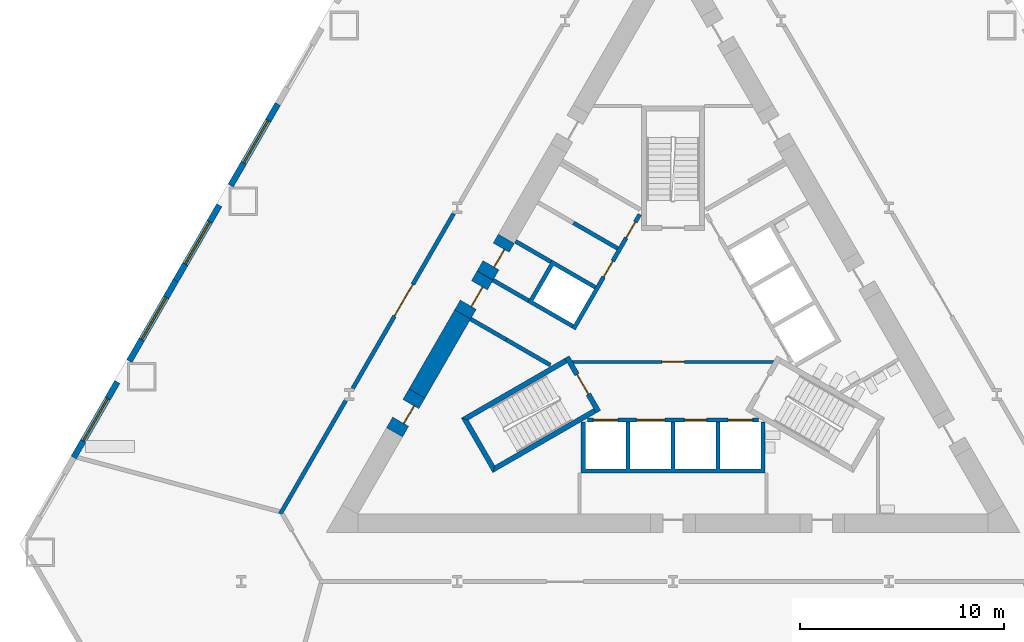
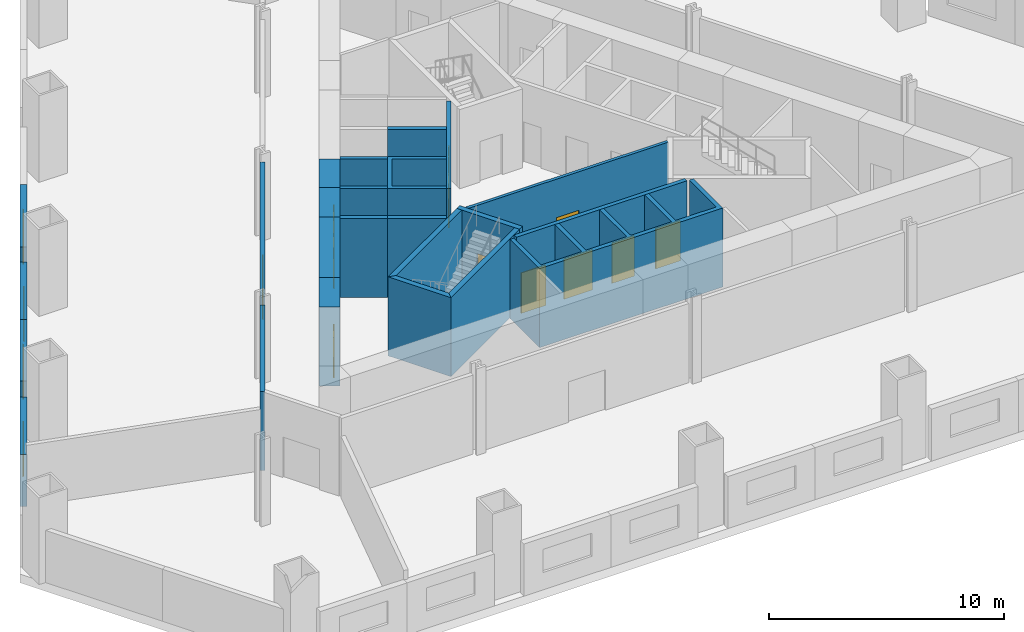
# One storey, part 2 of 8: 24 walls, 12 doors, 4 windows, 16 openings.
"""IFC4 building model written with IfcOpenShell, lengths in metres."""

from ifc_helpers import new_model, si_unit, direction, frame, frame_2d, origin, place, context, subcontext, project, spatial, polyline, rectangle, outline, extrude, material, layer, layer_set, type_object, element, fill, save


model = new_model("IFC4")

# Units and contexts
model_context = context("Model", 3, precision=1e-05, world=origin(), true_north=direction((0.0, 1.0)))
body_context = subcontext(model_context, "Body", "Model", "MODEL_VIEW")
ifc_project = project(units=[si_unit("LENGTHUNIT", "METRE"), si_unit("AREAUNIT", "SQUARE_METRE"), si_unit("VOLUMEUNIT", "CUBIC_METRE"), si_unit("PLANEANGLEUNIT", "RADIAN"), si_unit("MASSUNIT", "GRAM", prefix="KILO")], contexts=[model_context])

# Site, building, storey
site_placement = place(None, origin())
site = spatial("IfcSite", under=ifc_project, at=site_placement, CompositionType="ELEMENT")
building_placement = place(site_placement, origin())
building = spatial("IfcBuilding", under=site, at=building_placement, Name="Cormorant Prow Tower", CompositionType="ELEMENT")
storey_placement = place(building_placement, frame((0.0, 0.0, 25.5)))
storey = spatial("IfcBuildingStorey", under=building, at=storey_placement, Name="L04", CompositionType="ELEMENT", Elevation=25.5)

# Wall, opening, door
ifc_material_1 = material(Name="Gypsum board partition")
ifc_layer_1 = layer(ifc_material_1, 0.14990234375)
ifc_layer_set_1 = layer_set([ifc_layer_1], Name="Gypsum board partition")
wall_type_1 = type_object("IfcWallType", Name="Core partition 150", PredefinedType="PARTITIONING", material=ifc_layer_set_1)
wall_1_placement = place(storey_placement, frame((-4.941162109375, -1.449951171875, 0.0), z_axis=(0.0, 0.0, 1.0), x_axis=(1.0, 0.0, 0.0)))
wall_1 = element("IfcWall", 1, at=wall_1_placement, inside=storey, type_object=wall_type_1, Name="Firefighting lobby partition", PredefinedType="PARTITIONING", context=body_context, shape_type="SweptSolid", body=[
    extrude(rectangle(XDim=9.88232421875, YDim=0.14990234375, at=frame_2d((4.941162109375, 0.0))), origin(), (0.0, 0.0, 1.0), 4.10009765625),
])
opening_1_placement = place(wall_1_placement, frame((4.39111328125, 0.0, 0.0)))
opening_1 = element("IfcOpeningElement", 2, at=opening_1_placement, cuts=wall_1, Name="Opening L04-C11", PredefinedType="OPENING", context=body_context, shape_type="SweptSolid", body=[
    extrude(rectangle(XDim=1.10009765625, YDim=2.10009765625, at=frame_2d((0.550048828125, 1.050048828125))), frame((0.0, 0.0849609375, 0.0), z_axis=(0.0, -1.0, 0.0), x_axis=(1.0, 0.0, 0.0)), (0.0, 0.0, 1.0), 0.169921875),
])
ifc_material_2 = material(Name="Painted steel", Category="steel")
door_type_1 = type_object("IfcDoorType", Name="Firefighting lobby door 1100x2100", OperationType="NOTDEFINED", PredefinedType="DOOR", material=ifc_material_2)
door_1_placement = place(opening_1_placement, origin())
door_1 = element("IfcDoor", 3, at=door_1_placement, inside=storey, type_object=door_type_1, Name="Firefighting lobby door", OperationType="SINGLE_SWING_RIGHT", OverallHeight=2.10009765625, OverallWidth=1.10009765625, PredefinedType="DOOR", context=body_context, shape_type="SweptSolid", body=[
    extrude(rectangle(XDim=1.10009765625, YDim=2.10009765625, at=frame_2d((0.550048828125, 1.050048828125))), frame((0.0, 0.02490234375, 0.0), z_axis=(0.0, -1.0, 0.0), x_axis=(1.0, 0.0, 0.0)), (0.0, 0.0, 1.0), 0.050048828125),
])
fill(opening_1, door_1)

# Wall
ifc_material_3 = material(Name="Concrete 8000 psi", Category="concrete")
ifc_layer_2 = layer(ifc_material_3, 0.89990234375)
ifc_layer_set_2 = layer_set([ifc_layer_2], Name="Concrete 8000 psi")
wall_type_2 = type_object("IfcWallType", Name="Core shear wall 900", PredefinedType="SHEAR", material=ifc_layer_set_2)
wall_2_placement = place(storey_placement, frame((-10.310302734375, 0.8720703125, 0.0), z_axis=(0.0, 0.0, 1.0), x_axis=(-0.499991893987, -0.866030083742, 0.0)))
element("IfcWall", 4, at=wall_2_placement, inside=storey, type_object=wall_type_2, Name="Core wall", PredefinedType="SHEAR", context=body_context, shape_type="SweptSolid", body=[
    extrude(rectangle(XDim=4.470703125, YDim=0.89990234375, at=frame_2d((2.2353515625, 0.0))), origin(), (0.0, 0.0, 1.0), 4.10009765625),
])

# Wall, opening, door
wall_3_placement = place(storey_placement, frame((-12.545654296875, -2.999755859375, 0.0), z_axis=(0.0, 0.0, 1.0), x_axis=(-0.499994660107, -0.866028486751, 0.0)))
wall_3 = element("IfcWall", 5, at=wall_3_placement, inside=storey, type_object=wall_type_2, Name="Core wall door panel", PredefinedType="SHEAR", context=body_context, shape_type="SweptSolid", body=[
    extrude(rectangle(XDim=2.19970703125, YDim=0.89990234375, at=frame_2d((1.099853515625, 0.0))), origin(), (0.0, 0.0, 1.0), 4.10009765625),
])
opening_2_placement = place(wall_3_placement, frame((0.60009765625, 0.0, 0.0)))
opening_2 = element("IfcOpeningElement", 6, at=opening_2_placement, cuts=wall_3, Name="Opening L04-C18", PredefinedType="OPENING", context=body_context, shape_type="SweptSolid", body=[
    extrude(rectangle(XDim=1.0, YDim=2.10009765625, at=frame_2d((0.5, 1.050048828125))), frame((0.0, 0.4599609375, 0.0), z_axis=(0.0, -1.0, 0.0), x_axis=(1.0, 0.0, 0.0)), (0.0, 0.0, 1.0), 0.919921875),
])
ifc_material_4 = material(Name="Painted steel", Category="steel")
door_type_2 = type_object("IfcDoorType", Name="Service door 1000x2100", OperationType="NOTDEFINED", PredefinedType="DOOR", material=ifc_material_4)
door_2_placement = place(opening_2_placement, origin())
door_2 = element("IfcDoor", 7, at=door_2_placement, inside=storey, type_object=door_type_2, Name="Core door, Cleaners store", OperationType="SINGLE_SWING_RIGHT", OverallHeight=2.10009765625, OverallWidth=1.0, PredefinedType="DOOR", context=body_context, shape_type="SweptSolid", body=[
    extrude(rectangle(XDim=1.0, YDim=2.10009765625, at=frame_2d((0.5, 1.050048828125))), frame((0.0, 0.205078125, 0.0), z_axis=(0.0, -1.0, 0.0), x_axis=(1.0, 0.0, 0.0)), (0.0, 0.0, 1.0), 0.050048828125),
])
fill(opening_2, door_2)

wall_4_placement = place(storey_placement, frame((-8.17041015625, 4.57861328125, 0.0), z_axis=(0.0, 0.0, 1.0), x_axis=(-0.499888406853, -0.866089822532, 0.0)))
wall_4 = element("IfcWall", 8, at=wall_4_placement, inside=storey, type_object=wall_type_2, Name="Core wall door panel", PredefinedType="SHEAR", context=body_context, shape_type="SweptSolid", body=[
    extrude(rectangle(XDim=2.080078125, YDim=0.89990234375, at=frame_2d((1.0400390625, 0.0))), origin(), (0.0, 0.0, 1.0), 4.10009765625),
])
opening_3_placement = place(wall_4_placement, frame((0.5, 0.0, 0.0)))
opening_3 = element("IfcOpeningElement", 9, at=opening_3_placement, cuts=wall_4, Name="Opening L04-C20", PredefinedType="OPENING", context=body_context, shape_type="SweptSolid", body=[
    extrude(rectangle(XDim=1.0, YDim=2.10009765625, at=frame_2d((0.5, 1.050048828125))), frame((0.0, 0.4599609375, 0.0), z_axis=(0.0, -1.0, 0.0), x_axis=(1.0, 0.0, 0.0)), (0.0, 0.0, 1.0), 0.919921875),
])
door_3_placement = place(opening_3_placement, origin())
door_3 = element("IfcDoor", 10, at=door_3_placement, inside=storey, type_object=door_type_2, Name="Core door, Telecom room", OperationType="SINGLE_SWING_LEFT", OverallHeight=2.10009765625, OverallWidth=1.0, PredefinedType="DOOR", context=body_context, shape_type="SweptSolid", body=[
    extrude(rectangle(XDim=1.0, YDim=2.10009765625, at=frame_2d((0.5, 1.050048828125))), frame((0.0, 0.205078125, 0.0), z_axis=(0.0, -1.0, 0.0), x_axis=(1.0, 0.0, 0.0)), (0.0, 0.0, 1.0), 0.050048828125),
])
fill(opening_3, door_3)

wall_5_placement = place(storey_placement, frame((-9.210205078125, 2.777099609375, 0.0), z_axis=(0.0, 0.0, 1.0), x_axis=(-0.500077893725, -0.86598042715, 0.0)))
wall_5 = element("IfcWall", 11, at=wall_5_placement, inside=storey, type_object=wall_type_2, Name="Core wall door panel", PredefinedType="SHEAR", context=body_context, shape_type="SweptSolid", body=[
    extrude(rectangle(XDim=2.199951171875, YDim=0.89990234375, at=frame_2d((1.10009765625, 0.0))), origin(), (0.0, 0.0, 1.0), 4.10009765625),
])
opening_4_placement = place(wall_5_placement, frame((0.550048828125, 0.0, 0.0)))
opening_4 = element("IfcOpeningElement", 12, at=opening_4_placement, cuts=wall_5, Name="Opening L04-C24", PredefinedType="OPENING", context=body_context, shape_type="SweptSolid", body=[
    extrude(rectangle(XDim=1.10009765625, YDim=2.10009765625, at=frame_2d((0.550048828125, 1.050048828125))), frame((0.0, 0.4599609375, 0.0), z_axis=(0.0, -1.0, 0.0), x_axis=(1.0, 0.0, 0.0)), (0.0, 0.0, 1.0), 0.919921875),
])
ifc_material_5 = material(Name="Painted steel", Category="steel")
door_type_3 = type_object("IfcDoorType", Name="Core door 1100x2100", OperationType="NOTDEFINED", PredefinedType="DOOR", material=ifc_material_5)
door_4_placement = place(opening_4_placement, origin())
door_4 = element("IfcDoor", 13, at=door_4_placement, inside=storey, type_object=door_type_3, Name="Core door, lift lobby", OperationType="SINGLE_SWING_RIGHT", OverallHeight=2.10009765625, OverallWidth=1.10009765625, PredefinedType="DOOR", context=body_context, shape_type="SweptSolid", body=[
    extrude(rectangle(XDim=1.10009765625, YDim=2.10009765625, at=frame_2d((0.550048828125, 1.050048828125))), frame((0.0, 0.205078125, 0.0), z_axis=(0.0, -1.0, 0.0), x_axis=(1.0, 0.0, 0.0)), (0.0, 0.0, 1.0), 0.050048828125),
])
fill(opening_4, door_4)

ifc_material_6 = material(Name="Gypsum board corridor wall")
ifc_layer_3 = layer(ifc_material_6, 0.199951171875)
ifc_layer_set_3 = layer_set([ifc_layer_3], Name="Gypsum board corridor wall")
wall_type_3 = type_object("IfcWallType", Name="Corridor wall 200", PredefinedType="PARTITIONING", material=ifc_layer_set_3)
wall_6_placement = place(storey_placement, frame((-15.697509765625, -2.759033203125, 0.0), z_axis=(0.0, 0.0, 1.0), x_axis=(0.500004292778, 0.866022925334, 0.0)))
wall_6 = element("IfcWall", 14, at=wall_6_placement, inside=storey, type_object=wall_type_3, Name="Corridor wall", PredefinedType="PARTITIONING", context=body_context, shape_type="SweptSolid", body=[
    extrude(rectangle(XDim=9.89794921875, YDim=0.199951171875, at=frame_2d((4.948974609375, 0.0))), origin(), (0.0, 0.0, 1.0), 4.10009765625),
])
opening_5_placement = place(wall_6_placement, frame((4.099609375, 0.0, 0.0)))
opening_5 = element("IfcOpeningElement", 15, at=opening_5_placement, cuts=wall_6, Name="Opening L04-F02", PredefinedType="OPENING", context=body_context, shape_type="SweptSolid", body=[
    extrude(rectangle(XDim=1.800048828125, YDim=2.10009765625, at=frame_2d((0.89990234375, 1.050048828125))), frame((0.0, 0.10986328125, 0.0), z_axis=(0.0, -1.0, 0.0), x_axis=(1.0, 0.0, 0.0)), (0.0, 0.0, 1.0), 0.219970703125),
])
ifc_material_7 = material(Name="Timber door leaf", Category="wood")
door_type_4 = type_object("IfcDoorType", Name="Double door 1800x2100", OperationType="DOUBLE_DOOR_SINGLE_SWING", PredefinedType="DOOR", material=ifc_material_7)
door_5_placement = place(opening_5_placement, origin())
door_5 = element("IfcDoor", 16, at=door_5_placement, inside=storey, type_object=door_type_4, Name="Kitchen door", OperationType="DOUBLE_DOOR_SINGLE_SWING", OverallHeight=2.10009765625, OverallWidth=1.800048828125, PredefinedType="DOOR", context=body_context, shape_type="SweptSolid", body=[
    extrude(rectangle(XDim=1.800048828125, YDim=2.10009765625, at=frame_2d((0.89990234375, 1.050048828125))), frame((0.0, 0.02490234375, 0.0), z_axis=(0.0, -1.0, 0.0), x_axis=(1.0, 0.0, 0.0)), (0.0, 0.0, 1.0), 0.050048828125),
])
fill(opening_5, door_5)

# Wall
wall_7_placement = place(storey_placement, frame((-19.243896484375, -8.901611328125, 0.0), z_axis=(0.0, 0.0, 1.0), x_axis=(0.499988314375, 0.866032150378, 0.0)))
element("IfcWall", 17, at=wall_7_placement, inside=storey, type_object=wall_type_3, Name="Corridor wall", PredefinedType="PARTITIONING", context=body_context, shape_type="SweptSolid", body=[
    extrude(rectangle(XDim=6.412353515625, YDim=0.199951171875, at=frame_2d((3.2060546875, 0.0))), origin(), (0.0, 0.0, 1.0), 4.10009765625),
])

# Wall, openings, doors
ifc_material_8 = material(Name="Concrete 5000 psi", Category="concrete")
ifc_layer_4 = layer(ifc_material_8, 0.199951171875)
ifc_layer_set_4 = layer_set([ifc_layer_4], Name="Concrete 5000 psi")
wall_type_4 = type_object("IfcWallType", Name="Lift lobby wall 200", PredefinedType="SOLIDWALL", material=ifc_layer_set_4)
wall_8_placement = place(storey_placement, frame((-4.1865234375, -4.300048828125, 0.0), z_axis=(0.0, 0.0, 1.0), x_axis=(1.0, 0.0, 0.0)))
wall_8 = element("IfcWall", 18, at=wall_8_placement, inside=storey, type_object=wall_type_4, Name="Lift lobby wall, S block", PredefinedType="SOLIDWALL", context=body_context, shape_type="SweptSolid", body=[
    extrude(rectangle(XDim=8.373046875, YDim=0.199951171875, at=frame_2d((4.1865234375, 0.0))), origin(), (0.0, 0.0, 1.0), 4.10009765625),
])
opening_6_placement = place(wall_8_placement, frame((0.28662109375, 0.0, 0.0)))
opening_6 = element("IfcOpeningElement", 19, at=opening_6_placement, cuts=wall_8, Name="Opening L04-C01", PredefinedType="OPENING", context=body_context, shape_type="SweptSolid", body=[
    extrude(rectangle(XDim=1.199951171875, YDim=2.10009765625, at=frame_2d((0.60009765625, 1.050048828125))), frame((0.0, 0.10986328125, 0.0), z_axis=(0.0, -1.0, 0.0), x_axis=(1.0, 0.0, 0.0)), (0.0, 0.0, 1.0), 0.219970703125),
])
opening_7_placement = place(wall_8_placement, frame((2.38671875, 0.0, 0.0)))
opening_7 = element("IfcOpeningElement", 20, at=opening_7_placement, cuts=wall_8, Name="Opening L04-C02", PredefinedType="OPENING", context=body_context, shape_type="SweptSolid", body=[
    extrude(rectangle(XDim=1.39990234375, YDim=2.10009765625, at=frame_2d((0.699951171875, 1.050048828125))), frame((0.0, 0.10986328125, 0.0), z_axis=(0.0, -1.0, 0.0), x_axis=(1.0, 0.0, 0.0)), (0.0, 0.0, 1.0), 0.219970703125),
])
opening_8_placement = place(wall_8_placement, frame((4.736572265625, 0.0, 0.0)))
opening_8 = element("IfcOpeningElement", 21, at=opening_8_placement, cuts=wall_8, Name="Opening L04-C03", PredefinedType="OPENING", context=body_context, shape_type="SweptSolid", body=[
    extrude(rectangle(XDim=1.10009765625, YDim=2.10009765625, at=frame_2d((0.550048828125, 1.050048828125))), frame((0.0, 0.10986328125, 0.0), z_axis=(0.0, -1.0, 0.0), x_axis=(1.0, 0.0, 0.0)), (0.0, 0.0, 1.0), 0.219970703125),
])
opening_9_placement = place(wall_8_placement, frame((6.88671875, 0.0, 0.0)))
opening_9 = element("IfcOpeningElement", 22, at=opening_9_placement, cuts=wall_8, Name="Opening L04-C04", PredefinedType="OPENING", context=body_context, shape_type="SweptSolid", body=[
    extrude(rectangle(XDim=1.199951171875, YDim=2.10009765625, at=frame_2d((0.60009765625, 1.050048828125))), frame((0.0, 0.10986328125, 0.0), z_axis=(0.0, -1.0, 0.0), x_axis=(1.0, 0.0, 0.0)), (0.0, 0.0, 1.0), 0.219970703125),
])
ifc_material_9 = material(Name="Painted steel", Category="steel")
door_type_5 = type_object("IfcDoorType", Name="Firefighting lift landing door 1200x2100", OperationType="SLIDING_TO_LEFT", PredefinedType="DOOR", material=ifc_material_9)
door_6_placement = place(opening_6_placement, origin())
door_6 = element("IfcDoor", 23, at=door_6_placement, inside=storey, type_object=door_type_5, Name="Landing door FL1", OperationType="SLIDING_TO_LEFT", OverallHeight=2.10009765625, OverallWidth=1.199951171875, PredefinedType="DOOR", context=body_context, shape_type="SweptSolid", body=[
    extrude(rectangle(XDim=1.199951171875, YDim=2.10009765625, at=frame_2d((0.60009765625, 1.050048828125))), frame((0.0, 0.02490234375, 0.0), z_axis=(0.0, -1.0, 0.0), x_axis=(1.0, 0.0, 0.0)), (0.0, 0.0, 1.0), 0.050048828125),
])
fill(opening_6, door_6)
door_7_placement = place(opening_9_placement, origin())
door_7 = element("IfcDoor", 24, at=door_7_placement, inside=storey, type_object=door_type_5, Name="Landing door FL2", OperationType="SLIDING_TO_LEFT", OverallHeight=2.10009765625, OverallWidth=1.199951171875, PredefinedType="DOOR", context=body_context, shape_type="SweptSolid", body=[
    extrude(rectangle(XDim=1.199951171875, YDim=2.10009765625, at=frame_2d((0.60009765625, 1.050048828125))), frame((0.0, 0.02490234375, 0.0), z_axis=(0.0, -1.0, 0.0), x_axis=(1.0, 0.0, 0.0)), (0.0, 0.0, 1.0), 0.050048828125),
])
fill(opening_9, door_7)
ifc_material_10 = material(Name="Painted steel", Category="steel")
door_type_6 = type_object("IfcDoorType", Name="Lift landing door 1100x2100", OperationType="SLIDING_TO_LEFT", PredefinedType="DOOR", material=ifc_material_10)
door_8_placement = place(opening_8_placement, origin())
door_8 = element("IfcDoor", 25, at=door_8_placement, inside=storey, type_object=door_type_6, Name="Landing door LR1", OperationType="SLIDING_TO_LEFT", OverallHeight=2.10009765625, OverallWidth=1.10009765625, PredefinedType="DOOR", context=body_context, shape_type="SweptSolid", body=[
    extrude(rectangle(XDim=1.10009765625, YDim=2.10009765625, at=frame_2d((0.550048828125, 1.050048828125))), frame((0.0, 0.02490234375, 0.0), z_axis=(0.0, -1.0, 0.0), x_axis=(1.0, 0.0, 0.0)), (0.0, 0.0, 1.0), 0.050048828125),
])
fill(opening_8, door_8)
ifc_material_11 = material(Name="Painted steel", Category="steel")
door_type_7 = type_object("IfcDoorType", Name="Service lift landing door 1400x2100", OperationType="SLIDING_TO_LEFT", PredefinedType="DOOR", material=ifc_material_11)
door_9_placement = place(opening_7_placement, origin())
door_9 = element("IfcDoor", 26, at=door_9_placement, inside=storey, type_object=door_type_7, Name="Landing door SL1", OperationType="SLIDING_TO_LEFT", OverallHeight=2.10009765625, OverallWidth=1.39990234375, PredefinedType="DOOR", context=body_context, shape_type="SweptSolid", body=[
    extrude(rectangle(XDim=1.39990234375, YDim=2.10009765625, at=frame_2d((0.699951171875, 1.050048828125))), frame((0.0, 0.02490234375, 0.0), z_axis=(0.0, -1.0, 0.0), x_axis=(1.0, 0.0, 0.0)), (0.0, 0.0, 1.0), 0.050048828125),
])
fill(opening_7, door_9)

wall_9_placement = place(storey_placement, frame((-1.630615234375, 5.775634765625, 0.0), z_axis=(0.0, 0.0, 1.0), x_axis=(-0.499992876559, -0.866029516466, 0.0)))
wall_9 = element("IfcWall", 27, at=wall_9_placement, inside=storey, type_object=wall_type_4, Name="Lift lobby wall, WNW block", PredefinedType="SOLIDWALL", context=body_context, shape_type="SweptSolid", body=[
    extrude(rectangle(XDim=6.486328125, YDim=0.199951171875, at=frame_2d((3.2431640625, 0.0))), origin(), (0.0, 0.0, 1.0), 4.10009765625),
])
opening_10_placement = place(wall_9_placement, frame((0.4365234375, 0.0, 0.0)))
opening_10 = element("IfcOpeningElement", 28, at=opening_10_placement, cuts=wall_9, Name="Opening L04-C09", PredefinedType="OPENING", context=body_context, shape_type="SweptSolid", body=[
    extrude(rectangle(XDim=0.89990234375, YDim=2.10009765625, at=frame_2d((0.449951171875, 1.050048828125))), frame((0.0, 0.10986328125, 0.0), z_axis=(0.0, -1.0, 0.0), x_axis=(1.0, 0.0, 0.0)), (0.0, 0.0, 1.0), 0.219970703125),
])
opening_11_placement = place(wall_9_placement, frame((2.63671875, 0.0, 0.0)))
opening_11 = element("IfcOpeningElement", 29, at=opening_11_placement, cuts=wall_9, Name="Opening L04-C10", PredefinedType="OPENING", context=body_context, shape_type="SweptSolid", body=[
    extrude(rectangle(XDim=0.89990234375, YDim=2.10009765625, at=frame_2d((0.449951171875, 1.050048828125))), frame((0.0, 0.10986328125, 0.0), z_axis=(0.0, -1.0, 0.0), x_axis=(1.0, 0.0, 0.0)), (0.0, 0.0, 1.0), 0.219970703125),
])
ifc_material_12 = material(Name="Painted steel", Category="steel")
door_type_8 = type_object("IfcDoorType", Name="Service door 900x2100", OperationType="NOTDEFINED", PredefinedType="DOOR", material=ifc_material_12)
door_10_placement = place(opening_10_placement, origin())
door_10 = element("IfcDoor", 30, at=door_10_placement, inside=storey, type_object=door_type_8, Name="Service door, Electrical room", OperationType="SINGLE_SWING_LEFT", OverallHeight=2.10009765625, OverallWidth=0.89990234375, PredefinedType="DOOR", context=body_context, shape_type="SweptSolid", body=[
    extrude(rectangle(XDim=0.89990234375, YDim=2.10009765625, at=frame_2d((0.449951171875, 1.050048828125))), frame((0.0, 0.02490234375, 0.0), z_axis=(0.0, -1.0, 0.0), x_axis=(1.0, 0.0, 0.0)), (0.0, 0.0, 1.0), 0.050048828125),
])
fill(opening_10, door_10)
door_11_placement = place(opening_11_placement, origin())
door_11 = element("IfcDoor", 31, at=door_11_placement, inside=storey, type_object=door_type_8, Name="Service door, Linen store", OperationType="SINGLE_SWING_RIGHT", OverallHeight=2.10009765625, OverallWidth=0.89990234375, PredefinedType="DOOR", context=body_context, shape_type="SweptSolid", body=[
    extrude(rectangle(XDim=0.89990234375, YDim=2.10009765625, at=frame_2d((0.449951171875, 1.050048828125))), frame((0.0, 0.02490234375, 0.0), z_axis=(0.0, -1.0, 0.0), x_axis=(1.0, 0.0, 0.0)), (0.0, 0.0, 1.0), 0.050048828125),
])
fill(opening_11, door_11)

# Walls
ifc_material_13 = material(Name="Concrete 8000 psi", Category="concrete")
ifc_layer_5 = layer(ifc_material_13, 0.199951171875)
ifc_layer_set_5 = layer_set([ifc_layer_5], Name="Concrete 8000 psi")
wall_type_5 = type_object("IfcWallType", Name="Lift shaft wall 200", PredefinedType="SHEAR", material=ifc_layer_set_5)
wall_10_placement = place(storey_placement, origin())
element("IfcWall", 32, at=wall_10_placement, inside=storey, type_object=wall_type_5, Name="Lift shaft walls, S block", PredefinedType="SHEAR", context=body_context, shape_type="SweptSolid", body=[
    extrude(outline(polyline([(4.5, -4.39990234375), (4.5, -6.906005859375), (-4.5, -6.906005859375), (-4.5, -4.39990234375), (-4.300048828125, -4.39990234375), (-4.300048828125, -6.699951171875), (-2.300048828125, -6.699951171875), (-2.300048828125, -4.39990234375), (-2.10009765625, -4.39990234375), (-2.10009765625, -6.699951171875), (-0.10009765625, -6.699951171875), (-0.10009765625, -4.39990234375), (0.10009765625, -4.39990234375), (0.10009765625, -6.699951171875), (2.10009765625, -6.699951171875), (2.10009765625, -4.39990234375), (2.300048828125, -4.39990234375), (2.300048828125, -6.699951171875), (4.300048828125, -6.699951171875), (4.300048828125, -4.39990234375), (4.5, -4.39990234375)])), origin(), (0.0, 0.0, 1.0), 4.10009765625),
])
wall_11_placement = place(storey_placement, origin())
element("IfcWall", 33, at=wall_11_placement, inside=storey, type_object=wall_type_5, Name="Lift shaft walls, WNW block", PredefinedType="SHEAR", context=body_context, shape_type="SweptSolid", body=[
    extrude(outline(polyline([(-6.060546875, -1.697021484375), (-8.230712890625, -0.444091796875), (-8.130859375, -0.27099609375), (-5.96044921875, -1.52392578125), (-6.060546875, -1.697021484375)])), origin(), (0.0, 0.0, 1.0), 4.10009765625),
])
wall_12_placement = place(storey_placement, origin())
element("IfcWall", 34, at=wall_12_placement, inside=storey, type_object=wall_type_5, Name="Lift shaft walls, WNW block", PredefinedType="SHEAR", context=body_context, shape_type="SweptSolid", body=[
    extrude(outline(polyline([(-4.96044921875, 0.2080078125), (-7.130859375, 1.461181640625), (-5.930908203125, 3.53955078125), (-3.760498046875, 2.28662109375), (-3.860595703125, 2.11328125), (-5.852294921875, 3.263427734375), (-6.852294921875, 1.53125), (-4.860595703125, 0.38134765625), (-4.96044921875, 0.2080078125)])), origin(), (0.0, 0.0, 1.0), 4.10009765625),
])
wall_13_placement = place(storey_placement, origin())
element("IfcWall", 35, at=wall_13_placement, inside=storey, type_object=wall_type_5, Name="Lift shaft walls, WNW block", PredefinedType="SHEAR", context=body_context, shape_type="SweptSolid", body=[
    extrude(outline(polyline([(-2.760498046875, 4.018798828125), (-4.930908203125, 5.271728515625), (-4.830810546875, 5.44482421875), (-2.660400390625, 4.19189453125), (-2.760498046875, 4.018798828125)])), origin(), (0.0, 0.0, 1.0), 4.10009765625),
])
wall_14_placement = place(storey_placement, frame((-5.980712890625, 3.452880859375, 0.0), z_axis=(0.0, 0.0, 1.0), x_axis=(-0.866013584312, 0.500020471368, 0.0)))
element("IfcWall", 36, at=wall_14_placement, inside=storey, type_object=wall_type_5, Name="Store side wall", PredefinedType="SHEAR", context=body_context, shape_type="SweptSolid", body=[
    extrude(rectangle(XDim=2.00927734375, YDim=0.199951171875, at=frame_2d((1.004638671875, 0.0))), origin(), (0.0, 0.0, 1.0), 4.10009765625),
])
wall_15_placement = place(storey_placement, frame((-7.080810546875, 1.547607421875, 0.0), z_axis=(0.0, 0.0, 1.0), x_axis=(-0.865983199114, 0.50007309351, 0.0)))
element("IfcWall", 37, at=wall_15_placement, inside=storey, type_object=wall_type_5, Name="Lobby passage wall", PredefinedType="SHEAR", context=body_context, shape_type="SweptSolid", body=[
    extrude(rectangle(XDim=2.009033203125, YDim=0.199951171875, at=frame_2d((1.00439453125, 0.0))), origin(), (0.0, 0.0, 1.0), 4.10009765625),
])
wall_16_placement = place(storey_placement, frame((-8.180908203125, -0.357421875, 0.0), z_axis=(0.0, 0.0, 1.0), x_axis=(-0.866035824272, 0.499981950752, 0.0)))
element("IfcWall", 38, at=wall_16_placement, inside=storey, type_object=wall_type_5, Name="Lobby passage wall", PredefinedType="SHEAR", context=body_context, shape_type="SweptSolid", body=[
    extrude(rectangle(XDim=2.0087890625, YDim=0.199951171875, at=frame_2d((1.00439453125, 0.0))), origin(), (0.0, 0.0, 1.0), 4.10009765625),
])
ifc_material_14 = material(Name="Concrete 8000 psi", Category="concrete")
ifc_layer_6 = layer(ifc_material_14, 0.25)
ifc_layer_set_6 = layer_set([ifc_layer_6], Name="Concrete 8000 psi")
wall_type_6 = type_object("IfcWallType", Name="Stair wall 250", PredefinedType="SHEAR", material=ifc_layer_set_6)
wall_17_placement = place(storey_placement, origin())
element("IfcWall", 39, at=wall_17_placement, inside=storey, type_object=wall_type_6, Name="Stair ST1 enclosure wall (flank)", PredefinedType="SHEAR", context=body_context, shape_type="SweptSolid", body=[
    extrude(outline(polyline([(-5.30712890625, -1.28125), (-10.37353515625, -4.206298828125), (-10.031982421875, -4.2978515625), (-5.18212890625, -1.497802734375), (-5.30712890625, -1.28125)])), origin(), (0.0, 0.0, 1.0), 4.10009765625),
])
wall_18_placement = place(storey_placement, origin())
element("IfcWall", 40, at=wall_18_placement, inside=storey, type_object=wall_type_6, Name="Stair ST1 enclosure wall (end)", PredefinedType="SHEAR", context=body_context, shape_type="SweptSolid", body=[
    extrude(outline(polyline([(-10.37353515625, -4.206298828125), (-8.82958984375, -6.880615234375), (-8.738037109375, -6.5390625), (-10.031982421875, -4.2978515625), (-10.37353515625, -4.206298828125)])), origin(), (0.0, 0.0, 1.0), 4.10009765625),
])
wall_19_placement = place(storey_placement, origin())
element("IfcWall", 41, at=wall_19_placement, inside=storey, type_object=wall_type_6, Name="Stair ST1 enclosure wall (flank)", PredefinedType="SHEAR", context=body_context, shape_type="SweptSolid", body=[
    extrude(outline(polyline([(-8.738037109375, -6.5390625), (-8.82958984375, -6.880615234375), (-3.76318359375, -3.95556640625), (-3.88818359375, -3.739013671875), (-8.738037109375, -6.5390625)])), origin(), (0.0, 0.0, 1.0), 4.10009765625),
])

# Wall, opening, door
wall_20_placement = place(storey_placement, frame((-5.198974609375, -1.21875, 0.0), z_axis=(0.0, 0.0, 1.0), x_axis=(0.499982516597, -0.866035497597, 0.0)))
wall_20 = element("IfcWall", 42, at=wall_20_placement, inside=storey, type_object=wall_type_6, Name="Stair ST1 door wall", PredefinedType="SHEAR", context=body_context, shape_type="SweptSolid", body=[
    extrude(rectangle(XDim=3.087890625, YDim=0.25, at=frame_2d((1.5439453125, 0.0))), origin(), (0.0, 0.0, 1.0), 4.10009765625),
])
opening_12_placement = place(wall_20_placement, frame((0.993896484375, 0.0, 0.0)))
opening_12 = element("IfcOpeningElement", 43, at=opening_12_placement, cuts=wall_20, Name="Opening L04-C12", PredefinedType="OPENING", context=body_context, shape_type="SweptSolid", body=[
    extrude(rectangle(XDim=1.10009765625, YDim=2.10009765625, at=frame_2d((0.550048828125, 1.050048828125))), frame((0.0, 0.135009765625, 0.0), z_axis=(0.0, -1.0, 0.0), x_axis=(1.0, 0.0, 0.0)), (0.0, 0.0, 1.0), 0.27001953125),
])
ifc_material_15 = material(Name="Painted steel", Category="steel")
door_type_9 = type_object("IfcDoorType", Name="Stair door 1100x2100", OperationType="NOTDEFINED", PredefinedType="DOOR", material=ifc_material_15)
door_12_placement = place(opening_12_placement, origin())
door_12 = element("IfcDoor", 44, at=door_12_placement, inside=storey, type_object=door_type_9, Name="Stair ST1 door", OperationType="SINGLE_SWING_LEFT", OverallHeight=2.10009765625, OverallWidth=1.10009765625, PredefinedType="DOOR", context=body_context, shape_type="SweptSolid", body=[
    extrude(rectangle(XDim=1.10009765625, YDim=2.10009765625, at=frame_2d((0.550048828125, 1.050048828125))), frame((0.0, 0.02490234375, 0.0), z_axis=(0.0, -1.0, 0.0), x_axis=(1.0, 0.0, 0.0)), (0.0, 0.0, 1.0), 0.050048828125),
])
fill(opening_12, door_12)

# Wall, opening, window
ifc_material_16 = material(Name="Terracotta", Category="masonry")
ifc_layer_7 = layer(ifc_material_16, 0.300048828125)
ifc_layer_set_7 = layer_set([ifc_layer_7], Name="Terracotta")
wall_type_7 = type_object("IfcWallType", Name="Terracotta podium cladding wall 300", PredefinedType="SOLIDWALL", material=ifc_layer_set_7)
wall_21_placement = place(storey_placement, frame((-19.3701171875, 11.183349609375, 0.0), z_axis=(0.0, 0.0, 1.0), x_axis=(-0.499982117899, -0.866035727774, 0.0)))
wall_21 = element("IfcWall", 45, at=wall_21_placement, inside=storey, type_object=wall_type_7, Name="Terracotta podium wall WNW05", PredefinedType="SOLIDWALL", context=body_context, shape_type="SweptSolid", body=[
    extrude(rectangle(XDim=4.612060546875, YDim=0.300048828125, at=frame_2d((2.30615234375, 0.0))), origin(), (0.0, 0.0, 1.0), 2.699951171875),
])
opening_13_placement = place(wall_21_placement, frame((0.93505859375, 0.0, 0.89990234375)))
opening_13 = element("IfcOpeningElement", 46, at=opening_13_placement, cuts=wall_21, Name="Opening WN23", PredefinedType="OPENING", context=body_context, shape_type="SweptSolid", body=[
    extrude(rectangle(XDim=2.39990234375, YDim=1.199951171875, at=frame_2d((1.199951171875, 0.60009765625))), frame((0.0, 0.159912109375, 0.0), z_axis=(0.0, -1.0, 0.0), x_axis=(1.0, 0.0, 0.0)), (0.0, 0.0, 1.0), 0.320068359375),
])
ifc_material_17 = material(Name="Aluminium 6063-T6", Category="aluminium")
window_type = type_object("IfcWindowType", Name="Podium window 2400x1200", PartitioningType="SINGLE_PANEL", PredefinedType="WINDOW", material=ifc_material_17)
window_1_placement = place(opening_13_placement, origin())
window_1 = element("IfcWindow", 47, at=window_1_placement, inside=storey, type_object=window_type, Name="Podium window WNW05", OverallHeight=1.199951171875, OverallWidth=2.39990234375, PartitioningType="SINGLE_PANEL", PredefinedType="WINDOW", context=body_context, shape_type="SweptSolid", body=[
    extrude(rectangle(XDim=2.39990234375, YDim=1.199951171875, at=frame_2d((1.199951171875, 0.60009765625))), frame((0.0, 0.030029296875, 0.0), z_axis=(0.0, -1.0, 0.0), x_axis=(1.0, 0.0, 0.0)), (0.0, 0.0, 1.0), 0.06005859375),
])
fill(opening_13, window_1)

wall_22_placement = place(storey_placement, frame((-22.235107421875, 6.220947265625, 0.0), z_axis=(0.0, 0.0, 1.0), x_axis=(-0.500019418418, -0.866014192265, 0.0)))
wall_22 = element("IfcWall", 48, at=wall_22_placement, inside=storey, type_object=wall_type_7, Name="Terracotta podium wall WNW06", PredefinedType="SOLIDWALL", context=body_context, shape_type="SweptSolid", body=[
    extrude(rectangle(XDim=4.269775390625, YDim=0.300048828125, at=frame_2d((2.134765625, 0.0))), origin(), (0.0, 0.0, 1.0), 2.699951171875),
])
opening_14_placement = place(wall_22_placement, frame((0.93505859375, 0.0, 0.89990234375)))
opening_14 = element("IfcOpeningElement", 49, at=opening_14_placement, cuts=wall_22, Name="Opening WN23", PredefinedType="OPENING", context=body_context, shape_type="SweptSolid", body=[
    extrude(rectangle(XDim=2.39990234375, YDim=1.199951171875, at=frame_2d((1.199951171875, 0.60009765625))), frame((0.0, 0.159912109375, 0.0), z_axis=(0.0, -1.0, 0.0), x_axis=(1.0, 0.0, 0.0)), (0.0, 0.0, 1.0), 0.320068359375),
])
window_2_placement = place(opening_14_placement, origin())
window_2 = element("IfcWindow", 50, at=window_2_placement, inside=storey, type_object=window_type, Name="Podium window WNW06", OverallHeight=1.199951171875, OverallWidth=2.39990234375, PartitioningType="SINGLE_PANEL", PredefinedType="WINDOW", context=body_context, shape_type="SweptSolid", body=[
    extrude(rectangle(XDim=2.39990234375, YDim=1.199951171875, at=frame_2d((1.199951171875, 0.60009765625))), frame((0.0, 0.030029296875, 0.0), z_axis=(0.0, -1.0, 0.0), x_axis=(1.0, 0.0, 0.0)), (0.0, 0.0, 1.0), 0.06005859375),
])
fill(opening_14, window_2)

wall_23_placement = place(storey_placement, frame((-24.3701171875, 2.523193359375, 0.0), z_axis=(0.0, 0.0, 1.0), x_axis=(-0.499964285679, -0.866046022475, 0.0)))
wall_23 = element("IfcWall", 51, at=wall_23_placement, inside=storey, type_object=wall_type_7, Name="Terracotta podium wall WNW07", PredefinedType="SOLIDWALL", context=body_context, shape_type="SweptSolid", body=[
    extrude(rectangle(XDim=4.544189453125, YDim=0.300048828125, at=frame_2d((2.27197265625, 0.0))), origin(), (0.0, 0.0, 1.0), 2.699951171875),
])
opening_15_placement = place(wall_23_placement, frame((0.93505859375, 0.0, 0.89990234375)))
opening_15 = element("IfcOpeningElement", 52, at=opening_15_placement, cuts=wall_23, Name="Opening WN23", PredefinedType="OPENING", context=body_context, shape_type="SweptSolid", body=[
    extrude(rectangle(XDim=2.39990234375, YDim=1.199951171875, at=frame_2d((1.199951171875, 0.60009765625))), frame((0.0, 0.159912109375, 0.0), z_axis=(0.0, -1.0, 0.0), x_axis=(1.0, 0.0, 0.0)), (0.0, 0.0, 1.0), 0.320068359375),
])
window_3_placement = place(opening_15_placement, origin())
window_3 = element("IfcWindow", 53, at=window_3_placement, inside=storey, type_object=window_type, Name="Podium window WNW07", OverallHeight=1.199951171875, OverallWidth=2.39990234375, PartitioningType="SINGLE_PANEL", PredefinedType="WINDOW", context=body_context, shape_type="SweptSolid", body=[
    extrude(rectangle(XDim=2.39990234375, YDim=1.199951171875, at=frame_2d((1.199951171875, 0.60009765625))), frame((0.0, 0.030029296875, 0.0), z_axis=(0.0, -1.0, 0.0), x_axis=(1.0, 0.0, 0.0)), (0.0, 0.0, 1.0), 0.06005859375),
])
fill(opening_15, window_3)

wall_24_placement = place(storey_placement, frame((-27.235107421875, -2.439208984375, 0.0), z_axis=(0.0, 0.0, 1.0), x_axis=(-0.499994660107, -0.866028486751, 0.0)))
wall_24 = element("IfcWall", 54, at=wall_24_placement, inside=storey, type_object=wall_type_7, Name="Terracotta podium wall WNW08", PredefinedType="SOLIDWALL", context=body_context, shape_type="SweptSolid", body=[
    extrude(rectangle(XDim=4.27001953125, YDim=0.300048828125, at=frame_2d((2.135009765625, 0.0))), origin(), (0.0, 0.0, 1.0), 2.699951171875),
])
opening_16_placement = place(wall_24_placement, frame((0.93505859375, 0.0, 0.89990234375)))
opening_16 = element("IfcOpeningElement", 55, at=opening_16_placement, cuts=wall_24, Name="Opening WN23", PredefinedType="OPENING", context=body_context, shape_type="SweptSolid", body=[
    extrude(rectangle(XDim=2.39990234375, YDim=1.199951171875, at=frame_2d((1.199951171875, 0.60009765625))), frame((0.0, 0.159912109375, 0.0), z_axis=(0.0, -1.0, 0.0), x_axis=(1.0, 0.0, 0.0)), (0.0, 0.0, 1.0), 0.320068359375),
])
window_4_placement = place(opening_16_placement, origin())
window_4 = element("IfcWindow", 56, at=window_4_placement, inside=storey, type_object=window_type, Name="Podium window WNW08", OverallHeight=1.199951171875, OverallWidth=2.39990234375, PartitioningType="SINGLE_PANEL", PredefinedType="WINDOW", context=body_context, shape_type="SweptSolid", body=[
    extrude(rectangle(XDim=2.39990234375, YDim=1.199951171875, at=frame_2d((1.199951171875, 0.60009765625))), frame((0.0, 0.030029296875, 0.0), z_axis=(0.0, -1.0, 0.0), x_axis=(1.0, 0.0, 0.0)), (0.0, 0.0, 1.0), 0.06005859375),
])
fill(opening_16, window_4)

save(model, "model.ifc")
